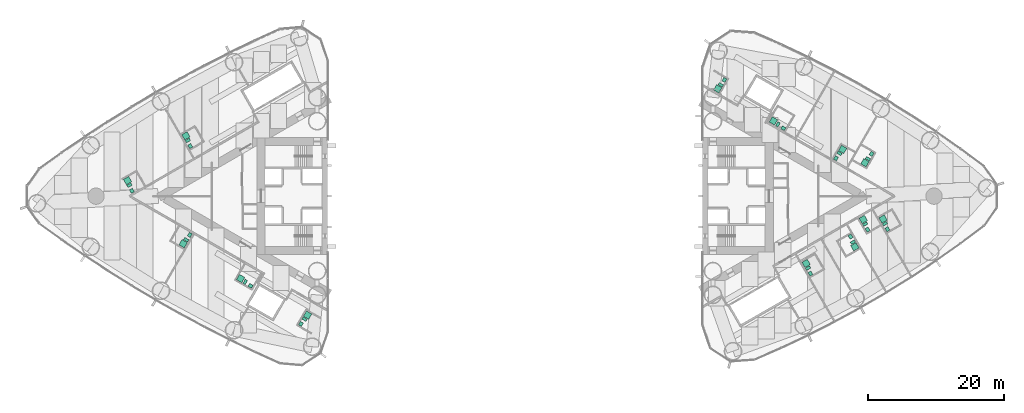
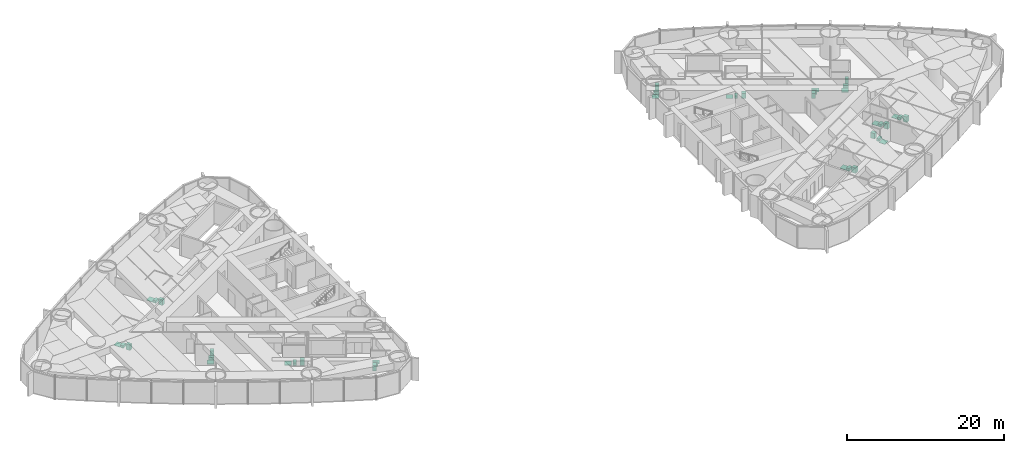
# One storey, part 18 of 18: 17 sanitary terminals.
"""IFC4 building model written with IfcOpenShell, lengths in metres."""

from ifc_helpers import new_model, si_unit, direction, frame, origin, origin_2d, place, context, subcontext, project, spatial, rectangle, extrude, material, type_object, element, save


model = new_model("IFC4")

# Units and contexts
model_context = context("Model", 3, precision=1e-05, world=origin(), true_north=direction((0.0, 1.0)))
body_context = subcontext(model_context, "Body", "Model", "MODEL_VIEW")
ifc_project = project(units=[si_unit("LENGTHUNIT", "METRE"), si_unit("AREAUNIT", "SQUARE_METRE"), si_unit("VOLUMEUNIT", "CUBIC_METRE"), si_unit("PLANEANGLEUNIT", "RADIAN"), si_unit("MASSUNIT", "GRAM", prefix="KILO")], contexts=[model_context])

# Site, building, storey
site_placement = place(None, origin())
site = spatial("IfcSite", under=ifc_project, at=site_placement, CompositionType="ELEMENT")
building_placement = place(site_placement, origin())
building = spatial("IfcBuilding", under=site, at=building_placement, Name="Lancet Gate Hotel", CompositionType="ELEMENT")
storey_placement = place(building_placement, frame((0.0, 0.0, 97.60009765625)))
storey = spatial("IfcBuildingStorey", under=building, at=storey_placement, Name="L25", CompositionType="ELEMENT", Elevation=97.60009765625)

# Sanitary terminals
ifc_material_1 = material(Name="Vitreous china sanitary ware")
sanitary_terminal_type_1 = type_object("IfcSanitaryTerminalType", Name="En-suite sanitary set (shower, WC, basin)", PredefinedType="USERDEFINED", material=ifc_material_1)
sanitary_terminal_1_placement = place(storey_placement, frame((-56.8798828125, 2.279541015625, 0.0), z_axis=(0.0, 0.0, 1.0), x_axis=(1.0, 0.0, 0.0)))
element("IfcSanitaryTerminal", 1, at=sanitary_terminal_1_placement, inside=storey, type_object=sanitary_terminal_type_1, Name="En-suite sanitary set (shower, WC, basin) 2503", ObjectType="EN-SUITE SANITARY SET", PredefinedType="USERDEFINED", context=body_context, shape_type="SweptSolid", body=[
    extrude(rectangle(XDim=0.89990234375, YDim=0.89990234375, at=origin_2d()), frame((0.0, 0.0, 0.0), z_axis=(0.0, 0.0, 1.0), x_axis=(-0.5, 0.866025403784, 0.0)), (0.0, 0.0, 1.0), 0.050048828125),
    extrude(rectangle(XDim=0.39990234375, YDim=0.699951171875, at=origin_2d()), frame((0.278564453125, -0.68212890625, 0.0), z_axis=(0.0, 0.0, 1.0), x_axis=(-0.5, 0.866025403784, 0.0)), (0.0, 0.0, 1.0), 0.39990234375),
    extrude(rectangle(XDim=0.60009765625, YDim=0.5, at=origin_2d()), frame((0.6318359375, -1.494140625, 0.0), z_axis=(0.0, 0.0, 1.0), x_axis=(-0.5, 0.866025403784, 0.0)), (0.0, 0.0, 1.0), 0.85009765625),
])
sanitary_terminal_2_placement = place(storey_placement, frame((-48.724853515625, -6.988037109375, 0.0), z_axis=(0.0, 0.0, 1.0), x_axis=(1.0, 0.0, 0.0)))
element("IfcSanitaryTerminal", 2, at=sanitary_terminal_2_placement, inside=storey, type_object=sanitary_terminal_type_1, Name="En-suite sanitary set (shower, WC, basin) 2505", ObjectType="EN-SUITE SANITARY SET", PredefinedType="USERDEFINED", context=body_context, shape_type="SweptSolid", body=[
    extrude(rectangle(XDim=0.89990234375, YDim=0.89990234375, at=origin_2d()), frame((0.0, 0.0, 0.0), z_axis=(0.0, 0.0, 1.0), x_axis=(-0.5, -0.866025403784, 0.0)), (0.0, 0.0, 1.0), 0.050048828125),
    extrude(rectangle(XDim=0.39990234375, YDim=0.699951171875, at=origin_2d()), frame((0.45166015625, 0.582275390625, 0.0), z_axis=(0.0, 0.0, 1.0), x_axis=(-0.5, -0.866025403784, 0.0)), (0.0, 0.0, 1.0), 0.39990234375),
    extrude(rectangle(XDim=0.60009765625, YDim=0.5, at=origin_2d()), frame((0.978271484375, 1.29443359375, 0.0), z_axis=(0.0, 0.0, 1.0), x_axis=(-0.5, -0.866025403784, 0.0)), (0.0, 0.0, 1.0), 0.85009765625),
])
sanitary_terminal_3_placement = place(storey_placement, frame((-48.3076171875, 8.845458984375, 0.0), z_axis=(0.0, 0.0, 1.0), x_axis=(1.0, 0.0, 0.0)))
element("IfcSanitaryTerminal", 3, at=sanitary_terminal_3_placement, inside=storey, type_object=sanitary_terminal_type_1, Name="En-suite sanitary set (shower, WC, basin) 2502", ObjectType="EN-SUITE SANITARY SET", PredefinedType="USERDEFINED", context=body_context, shape_type="SweptSolid", body=[
    extrude(rectangle(XDim=0.89990234375, YDim=0.89990234375, at=origin_2d()), frame((0.0, 0.0, 0.0), z_axis=(0.0, 0.0, 1.0), x_axis=(-0.5, 0.866025403784, 0.0)), (0.0, 0.0, 1.0), 0.050048828125),
    extrude(rectangle(XDim=0.39990234375, YDim=0.699951171875, at=origin_2d()), frame((0.2783203125, -0.682373046875, 0.0), z_axis=(0.0, 0.0, 1.0), x_axis=(-0.5, 0.866025403784, 0.0)), (0.0, 0.0, 1.0), 0.39990234375),
    extrude(rectangle(XDim=0.60009765625, YDim=0.5, at=origin_2d()), frame((0.6318359375, -1.494384765625, 0.0), z_axis=(0.0, 0.0, 1.0), x_axis=(-0.5, 0.866025403784, 0.0)), (0.0, 0.0, 1.0), 0.85009765625),
])
sanitary_terminal_4_placement = place(storey_placement, frame((-30.45166015625, -17.468505859375, 0.0), z_axis=(0.0, 0.0, 1.0), x_axis=(1.0, 0.0, 0.0)))
element("IfcSanitaryTerminal", 4, at=sanitary_terminal_4_placement, inside=storey, type_object=sanitary_terminal_type_1, Name="En-suite sanitary set (shower, WC, basin) 2508", ObjectType="EN-SUITE SANITARY SET", PredefinedType="USERDEFINED", context=body_context, shape_type="SweptSolid", body=[
    extrude(rectangle(XDim=0.89990234375, YDim=0.89990234375, at=origin_2d()), frame((0.0, 0.0, 0.0), z_axis=(0.0, 0.0, 1.0), x_axis=(0.5, 0.866025403784, 0.0)), (0.0, 0.0, 1.0), 0.050048828125),
    extrude(rectangle(XDim=0.39990234375, YDim=0.699951171875, at=origin_2d()), frame((-0.45166015625, -0.582275390625, 0.0), z_axis=(0.0, 0.0, 1.0), x_axis=(0.5, 0.866025403784, 0.0)), (0.0, 0.0, 1.0), 0.39990234375),
    extrude(rectangle(XDim=0.60009765625, YDim=0.5, at=origin_2d()), frame((-0.978271484375, -1.29443359375, 0.0), z_axis=(0.0, 0.0, 1.0), x_axis=(0.5, 0.866025403784, 0.0)), (0.0, 0.0, 1.0), 0.85009765625),
])
sanitary_terminal_5_placement = place(storey_placement, frame((42.7333984375, -9.877685546875, 0.0), z_axis=(0.0, 0.0, 1.0), x_axis=(1.0, 0.0, 0.0)))
element("IfcSanitaryTerminal", 5, at=sanitary_terminal_5_placement, inside=storey, type_object=sanitary_terminal_type_1, Name="En-suite sanitary set (shower, WC, basin) 2554", ObjectType="EN-SUITE SANITARY SET", PredefinedType="USERDEFINED", context=body_context, shape_type="SweptSolid", body=[
    extrude(rectangle(XDim=0.89990234375, YDim=0.89990234375, at=origin_2d()), frame((0.0, 0.0, 0.0), z_axis=(0.0, 0.0, 1.0), x_axis=(-0.5, 0.866025403784, 0.0)), (0.0, 0.0, 1.0), 0.050048828125),
    extrude(rectangle(XDim=0.39990234375, YDim=0.699951171875, at=origin_2d()), frame((0.2783203125, -0.682373046875, 0.0), z_axis=(0.0, 0.0, 1.0), x_axis=(-0.5, 0.866025403784, 0.0)), (0.0, 0.0, 1.0), 0.39990234375),
    extrude(rectangle(XDim=0.60009765625, YDim=0.5, at=origin_2d()), frame((0.6318359375, -1.494384765625, 0.0), z_axis=(0.0, 0.0, 1.0), x_axis=(-0.5, 0.866025403784, 0.0)), (0.0, 0.0, 1.0), 0.85009765625),
])
sanitary_terminal_6_placement = place(storey_placement, frame((49.875, -7.4404296875, 0.0), z_axis=(0.0, 0.0, 1.0), x_axis=(1.0, 0.0, 0.0)))
element("IfcSanitaryTerminal", 6, at=sanitary_terminal_6_placement, inside=storey, type_object=sanitary_terminal_type_1, Name="En-suite sanitary set (shower, WC, basin) 2555", ObjectType="EN-SUITE SANITARY SET", PredefinedType="USERDEFINED", context=body_context, shape_type="SweptSolid", body=[
    extrude(rectangle(XDim=0.89990234375, YDim=0.89990234375, at=origin_2d()), frame((0.0, 0.0, 0.0), z_axis=(0.0, 0.0, 1.0), x_axis=(0.5, -0.866025403784, 0.0)), (0.0, 0.0, 1.0), 0.050048828125),
    extrude(rectangle(XDim=0.39990234375, YDim=0.699951171875, at=origin_2d()), frame((-0.278564453125, 0.68212890625, 0.0), z_axis=(0.0, 0.0, 1.0), x_axis=(0.5, -0.866025403784, 0.0)), (0.0, 0.0, 1.0), 0.39990234375),
    extrude(rectangle(XDim=0.60009765625, YDim=0.5, at=origin_2d()), frame((-0.6318359375, 1.494140625, 0.0), z_axis=(0.0, 0.0, 1.0), x_axis=(0.5, -0.866025403784, 0.0)), (0.0, 0.0, 1.0), 0.85009765625),
])
sanitary_terminal_7_placement = place(storey_placement, frame((51.11669921875, -3.421142578125, 0.0), z_axis=(0.0, 0.0, 1.0), x_axis=(1.0, 0.0, 0.0)))
element("IfcSanitaryTerminal", 7, at=sanitary_terminal_7_placement, inside=storey, type_object=sanitary_terminal_type_1, Name="En-suite sanitary set (shower, WC, basin) 2556", ObjectType="EN-SUITE SANITARY SET", PredefinedType="USERDEFINED", context=body_context, shape_type="SweptSolid", body=[
    extrude(rectangle(XDim=0.89990234375, YDim=0.89990234375, at=origin_2d()), frame((0.0, 0.0, 0.0), z_axis=(0.0, 0.0, 1.0), x_axis=(-0.5, 0.866025403784, 0.0)), (0.0, 0.0, 1.0), 0.050048828125),
    extrude(rectangle(XDim=0.39990234375, YDim=0.699951171875, at=origin_2d()), frame((0.2783203125, -0.682373046875, 0.0), z_axis=(0.0, 0.0, 1.0), x_axis=(-0.5, 0.866025403784, 0.0)), (0.0, 0.0, 1.0), 0.39990234375),
    extrude(rectangle(XDim=0.60009765625, YDim=0.5, at=origin_2d()), frame((0.631591796875, -1.494384765625, 0.0), z_axis=(0.0, 0.0, 1.0), x_axis=(-0.5, 0.866025403784, 0.0)), (0.0, 0.0, 1.0), 0.85009765625),
])
sanitary_terminal_8_placement = place(storey_placement, frame((54.02490234375, -3.358642578125, 0.0), z_axis=(0.0, 0.0, 1.0), x_axis=(1.0, 0.0, 0.0)))
element("IfcSanitaryTerminal", 8, at=sanitary_terminal_8_placement, inside=storey, type_object=sanitary_terminal_type_1, Name="En-suite sanitary set (shower, WC, basin) 2557", ObjectType="EN-SUITE SANITARY SET", PredefinedType="USERDEFINED", context=body_context, shape_type="SweptSolid", body=[
    extrude(rectangle(XDim=0.89990234375, YDim=0.89990234375, at=origin_2d()), frame((0.0, 0.0, 0.0), z_axis=(0.0, 0.0, 1.0), x_axis=(-0.5, 0.866025403784, 0.0)), (0.0, 0.0, 1.0), 0.050048828125),
    extrude(rectangle(XDim=0.39990234375, YDim=0.699951171875, at=origin_2d()), frame((0.278564453125, -0.68212890625, 0.0), z_axis=(0.0, 0.0, 1.0), x_axis=(-0.5, 0.866025403784, 0.0)), (0.0, 0.0, 1.0), 0.39990234375),
    extrude(rectangle(XDim=0.60009765625, YDim=0.5, at=origin_2d()), frame((0.6318359375, -1.494140625, 0.0), z_axis=(0.0, 0.0, 1.0), x_axis=(-0.5, 0.866025403784, 0.0)), (0.0, 0.0, 1.0), 0.85009765625),
])
sanitary_terminal_9_placement = place(storey_placement, frame((51.353271484375, 4.901123046875, 0.0), z_axis=(0.0, 0.0, 1.0), x_axis=(1.0, 0.0, 0.0)))
element("IfcSanitaryTerminal", 9, at=sanitary_terminal_9_placement, inside=storey, type_object=sanitary_terminal_type_1, Name="En-suite sanitary set (shower, WC, basin) 2558", ObjectType="EN-SUITE SANITARY SET", PredefinedType="USERDEFINED", context=body_context, shape_type="SweptSolid", body=[
    extrude(rectangle(XDim=0.89990234375, YDim=0.89990234375, at=origin_2d()), frame((0.0, 0.0, 0.0), z_axis=(0.0, 0.0, 1.0), x_axis=(-0.5, -0.866025403784, 0.0)), (0.0, 0.0, 1.0), 0.050048828125),
    extrude(rectangle(XDim=0.39990234375, YDim=0.699951171875, at=origin_2d()), frame((0.45166015625, 0.582275390625, 0.0), z_axis=(0.0, 0.0, 1.0), x_axis=(-0.5, -0.866025403784, 0.0)), (0.0, 0.0, 1.0), 0.39990234375),
    extrude(rectangle(XDim=0.60009765625, YDim=0.5, at=origin_2d()), frame((0.978271484375, 1.294189453125, 0.0), z_axis=(0.0, 0.0, 1.0), x_axis=(-0.5, -0.866025403784, 0.0)), (0.0, 0.0, 1.0), 0.85009765625),
])
sanitary_terminal_10_placement = place(storey_placement, frame((48.083740234375, 6.858154296875, 0.0), z_axis=(0.0, 0.0, 1.0), x_axis=(1.0, 0.0, 0.0)))
element("IfcSanitaryTerminal", 10, at=sanitary_terminal_10_placement, inside=storey, type_object=sanitary_terminal_type_1, Name="En-suite sanitary set (shower, WC, basin) 2560", ObjectType="EN-SUITE SANITARY SET", PredefinedType="USERDEFINED", context=body_context, shape_type="SweptSolid", body=[
    extrude(rectangle(XDim=0.89990234375, YDim=0.89990234375, at=origin_2d()), frame((0.0, 0.0, 0.0), z_axis=(0.0, 0.0, 1.0), x_axis=(0.5, 0.866025403784, 0.0)), (0.0, 0.0, 1.0), 0.050048828125),
    extrude(rectangle(XDim=0.39990234375, YDim=0.699951171875, at=origin_2d()), frame((-0.45166015625, -0.582275390625, 0.0), z_axis=(0.0, 0.0, 1.0), x_axis=(0.5, 0.866025403784, 0.0)), (0.0, 0.0, 1.0), 0.39990234375),
    extrude(rectangle(XDim=0.60009765625, YDim=0.5, at=origin_2d()), frame((-0.978271484375, -1.29443359375, 0.0), z_axis=(0.0, 0.0, 1.0), x_axis=(0.5, 0.866025403784, 0.0)), (0.0, 0.0, 1.0), 0.85009765625),
])
sanitary_terminal_11_placement = place(storey_placement, frame((29.751708984375, 15.756103515625, 0.0), z_axis=(0.0, 0.0, 1.0), x_axis=(1.0, 0.0, 0.0)))
element("IfcSanitaryTerminal", 11, at=sanitary_terminal_11_placement, inside=storey, type_object=sanitary_terminal_type_1, Name="En-suite sanitary set (shower, WC, basin) 2564", ObjectType="EN-SUITE SANITARY SET", PredefinedType="USERDEFINED", context=body_context, shape_type="SweptSolid", body=[
    extrude(rectangle(XDim=0.89990234375, YDim=0.89990234375, at=origin_2d()), frame((0.0, 0.0, 0.0), z_axis=(0.0, 0.0, 1.0), x_axis=(-0.5, -0.866025403784, 0.0)), (0.0, 0.0, 1.0), 0.050048828125),
    extrude(rectangle(XDim=0.39990234375, YDim=0.699951171875, at=origin_2d()), frame((0.45166015625, 0.582275390625, 0.0), z_axis=(0.0, 0.0, 1.0), x_axis=(-0.5, -0.866025403784, 0.0)), (0.0, 0.0, 1.0), 0.39990234375),
    extrude(rectangle(XDim=0.60009765625, YDim=0.5, at=origin_2d()), frame((0.978271484375, 1.29443359375, 0.0), z_axis=(0.0, 0.0, 1.0), x_axis=(-0.5, -0.866025403784, 0.0)), (0.0, 0.0, 1.0), 0.85009765625),
])
ifc_material_2 = material(Name="Stone resin shower tray", Category="masonry")
sanitary_terminal_type_2 = type_object("IfcSanitaryTerminalType", Name="Shower tray 900", PredefinedType="SHOWER", material=ifc_material_2)
for number, where, z_axis, x_axis, name in (
    (12, (-40.2763671875, -12.0966796875, 0.0), (0.0, 0.0, 1.0), (-0.866025403784, 0.5, 0.0), "Shower tray 900 2507"),
    (13, (37.922607421875, 11.038818359375, 0.0), (0.0, 0.0, 1.0), (-0.866025403784, 0.5, 0.0), "Shower tray 900 2562"),
):
    element("IfcSanitaryTerminal", number, at=place(storey_placement, frame(where, z_axis=z_axis, x_axis=x_axis)), inside=storey, type_object=sanitary_terminal_type_2, Name=name, PredefinedType="SHOWER", context=body_context, shape_type="SweptSolid", body=[
        extrude(rectangle(XDim=0.89990234375, YDim=0.89990234375, at=origin_2d()), origin(), (0.0, 0.0, 1.0), 0.050048828125),
    ])
ifc_material_3 = material(Name="Vitreous china sanitary ware")
sanitary_terminal_type_3 = type_object("IfcSanitaryTerminalType", Name="Vanity basin 600", PredefinedType="WASHHANDBASIN", material=ifc_material_3)
for number, where, z_axis, x_axis, name in (
    (14, (-38.808837890625, -13.1748046875, -0.000244140625), (0.0, 0.0, 1.0), (-0.866025403784, 0.5, 0.0), "Vanity basin 600 2507"),
    (15, (39.389892578125, 9.960693359375, -0.000244140625), (0.0, 0.0, 1.0), (-0.866025403784, 0.5, 0.0), "Vanity basin 600 2562"),
):
    element("IfcSanitaryTerminal", number, at=place(storey_placement, frame(where, z_axis=z_axis, x_axis=x_axis)), inside=storey, type_object=sanitary_terminal_type_3, Name=name, PredefinedType="WASHHANDBASIN", context=body_context, shape_type="SweptSolid", body=[
        extrude(rectangle(XDim=0.60009765625, YDim=0.5, at=origin_2d()), origin(), (0.0, 0.0, 1.0), 0.85009765625),
    ])
ifc_material_4 = material(Name="Vitreous china sanitary ware")
sanitary_terminal_type_4 = type_object("IfcSanitaryTerminalType", Name="WC pan wall hung", PredefinedType="TOILETPAN", material=ifc_material_4)
for number, where, z_axis, x_axis, name in (
    (16, (-39.607421875, -12.59814453125, 0.0), (0.0, 0.0, 1.0), (-0.866025403784, 0.5, 0.0), "WC pan wall hung 2507"),
    (17, (38.59130859375, 10.537109375, 0.0), (0.0, 0.0, 1.0), (-0.866025403784, 0.5, 0.0), "WC pan wall hung 2562"),
):
    element("IfcSanitaryTerminal", number, at=place(storey_placement, frame(where, z_axis=z_axis, x_axis=x_axis)), inside=storey, type_object=sanitary_terminal_type_4, Name=name, PredefinedType="TOILETPAN", context=body_context, shape_type="SweptSolid", body=[
        extrude(rectangle(XDim=0.39990234375, YDim=0.699951171875, at=origin_2d()), origin(), (0.0, 0.0, 1.0), 0.39990234375),
    ])

save(model, "model.ifc")
